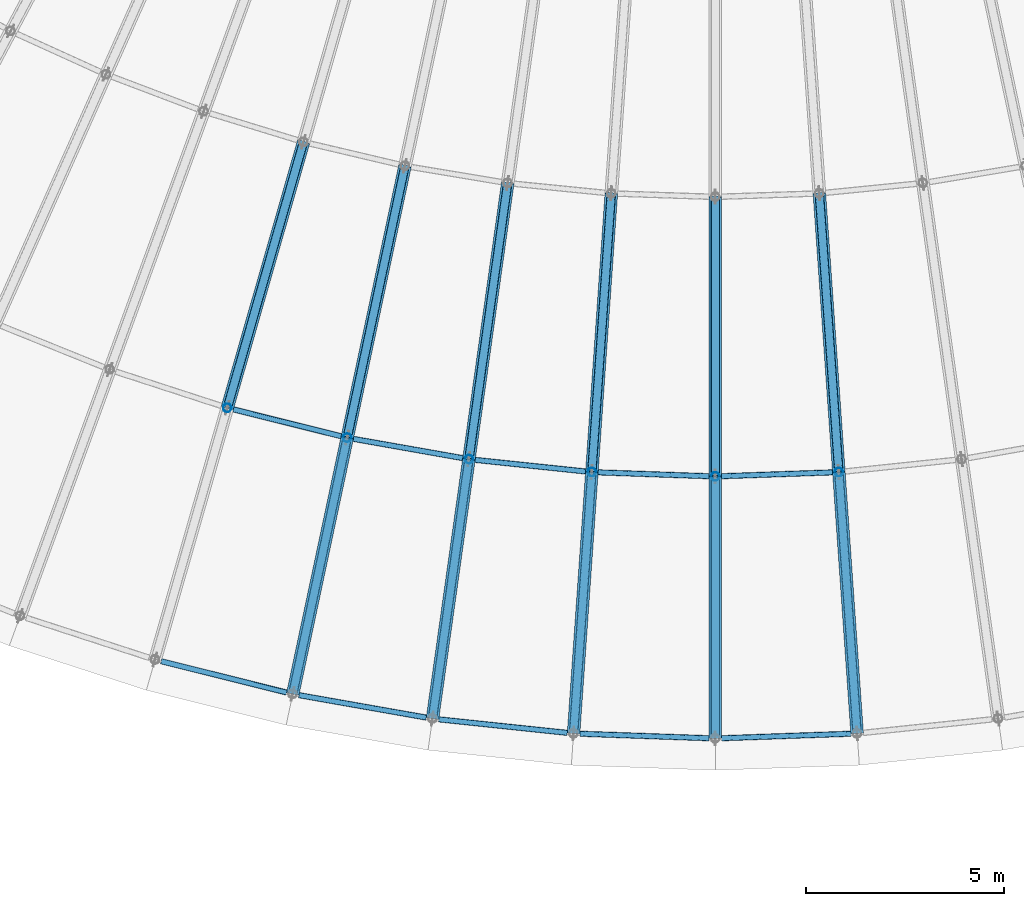
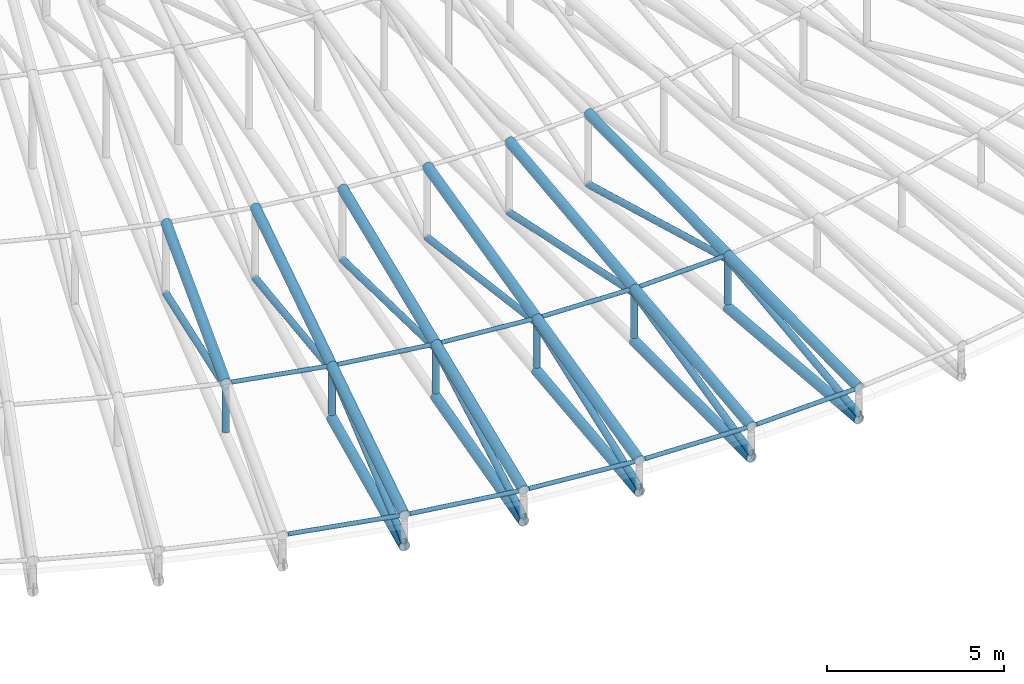
# One storey, part 27 of 163: 43 members.
"""IFC4 building model written with IfcOpenShell, lengths in metres."""

from ifc_helpers import new_model, si_unit, direction, frame, origin, origin_2d, place, context, subcontext, project, spatial, hollow_circle, extrude, material, material_profile, profile_set, type_object, element, save


model = new_model("IFC4")

# Units and contexts
model_context = context("Model", 3, precision=1e-05, world=origin(), true_north=direction((0.0, 1.0)))
body_context = subcontext(model_context, "Body", "Model", "MODEL_VIEW")
ifc_project = project(units=[si_unit("LENGTHUNIT", "METRE"), si_unit("AREAUNIT", "SQUARE_METRE"), si_unit("VOLUMEUNIT", "CUBIC_METRE"), si_unit("PLANEANGLEUNIT", "RADIAN"), si_unit("MASSUNIT", "GRAM", prefix="KILO")], contexts=[model_context])

# Site, building, storey
site_placement = place(None, origin())
site = spatial("IfcSite", under=ifc_project, at=site_placement, CompositionType="ELEMENT")
building_placement = place(site_placement, origin())
building = spatial("IfcBuilding", under=site, at=building_placement, Name="Rain Tree Exposition and Congress Centre", CompositionType="ELEMENT")
storey_placement = place(building_placement, frame((0.0, 0.0, 10.5)))
storey = spatial("IfcBuildingStorey", under=building, at=storey_placement, Name="L02", CompositionType="ELEMENT", Elevation=10.5)

# Members
ifc_material_1 = material(Name="Steel S355J2H", Category="steel")
ifc_material_profile_1 = material_profile(ifc_material_1, hollow_circle(Radius=0.108154296875, WallThickness=0.008056640625, at=origin_2d()), Name="CHS 216x8")
ifc_profile_set_1 = profile_set([ifc_material_profile_1], Name="Steel S355J2H")
member_type_1 = type_object("IfcMemberType", Name="Steel brace member CHS 216x8", PredefinedType="BRACE", material=ifc_profile_set_1)
member_1_placement = place(storey_placement, frame((189.306640625, 24.32763671875, 1.810546875), z_axis=(0.26952123663, 0.939948887417, -0.209414402676), x_axis=(-0.961262988359, 0.275632848571, 0.0)))
element("IfcMember", 1, at=member_1_placement, inside=storey, type_object=member_type_1, Name="TD6-2", PredefinedType="BRACE", context=body_context, shape_type="SweptSolid", body=[
    extrude(hollow_circle(Radius=0.108154296875, WallThickness=0.008056640625, at=origin_2d()), origin(), (0.0, 0.0, 1.0), 7.124267578125),
])
member_2_placement = place(storey_placement, frame((190.954833984375, 17.118896484375, 0.318603515625), z_axis=(0.20280762963, 0.95407261169, 0.220486999586), x_axis=(-0.978144841009, 0.207924673876, 0.0)))
element("IfcMember", 2, at=member_2_placement, inside=storey, type_object=member_type_1, Name="TD7-1", PredefinedType="BRACE", context=body_context, shape_type="SweptSolid", body=[
    extrude(hollow_circle(Radius=0.108154296875, WallThickness=0.008056640625, at=origin_2d()), origin(), (0.0, 0.0, 1.0), 6.7666015625),
])
member_3_placement = place(storey_placement, frame((192.3271484375, 23.57470703125, 1.810546875), z_axis=(0.203339373324, 0.956660413499, -0.208456116487), x_axis=(-0.978148655968, 0.207906726269, 0.0)))
element("IfcMember", 3, at=member_3_placement, inside=storey, type_object=member_type_1, Name="TD7-2", PredefinedType="BRACE", context=body_context, shape_type="SweptSolid", body=[
    extrude(hollow_circle(Radius=0.108154296875, WallThickness=0.008056640625, at=origin_2d()), origin(), (0.0, 0.0, 1.0), 7.1572265625),
])
member_4_placement = place(storey_placement, frame((194.474365234375, 16.498291015625, 0.318603515625), z_axis=(0.135738006216, 0.965897508345, 0.220493077082), x_axis=(-0.990269486717, 0.13916301117, 0.0)))
element("IfcMember", 4, at=member_4_placement, inside=storey, type_object=member_type_1, Name="TD8-1", PredefinedType="BRACE", context=body_context, shape_type="SweptSolid", body=[
    extrude(hollow_circle(Radius=0.108154296875, WallThickness=0.008056640625, at=origin_2d()), origin(), (0.0, 0.0, 1.0), 6.766357421875),
])
member_5_placement = place(storey_placement, frame((195.392822265625, 23.033935546875, 1.810546875), z_axis=(0.136140126916, 0.968655363562, -0.207780298597), x_axis=(-0.990267435614, 0.13917760582, 0.0)))
element("IfcMember", 5, at=member_5_placement, inside=storey, type_object=member_type_1, Name="TD8-2", PredefinedType="BRACE", context=body_context, shape_type="SweptSolid", body=[
    extrude(hollow_circle(Radius=0.108154296875, WallThickness=0.008056640625, at=origin_2d()), origin(), (0.0, 0.0, 1.0), 7.180419921875),
])
member_6_placement = place(storey_placement, frame((198.028564453125, 16.124755859375, 0.318603515625), z_axis=(0.06804982881, 0.973011523602, 0.220494434707), x_axis=(-0.997563320017, 0.069766915918, 0.0)))
element("IfcMember", 6, at=member_6_placement, inside=storey, type_object=member_type_1, Name="TD9-1", PredefinedType="BRACE", context=body_context, shape_type="SweptSolid", body=[
    extrude(hollow_circle(Radius=0.108154296875, WallThickness=0.008056640625, at=origin_2d()), origin(), (0.0, 0.0, 1.0), 6.766357421875),
])
member_7_placement = place(storey_placement, frame((198.489013671875, 22.70849609375, 1.810546875), z_axis=(0.068212374591, 0.975878131212, -0.207385980659), x_axis=(-0.997566018254, 0.069728324408, 0.0)))
element("IfcMember", 7, at=member_7_placement, inside=storey, type_object=member_type_1, Name="TD9-2", PredefinedType="BRACE", context=body_context, shape_type="SweptSolid", body=[
    extrude(hollow_circle(Radius=0.108154296875, WallThickness=0.008056640625, at=origin_2d()), origin(), (0.0, 0.0, 1.0), 7.194091796875),
])
member_8_placement = place(storey_placement, frame((201.60009765625, 16.0, 0.318603515625), z_axis=(0.0, 0.975390213922, 0.220485669796), x_axis=(-1.0, 0.0, 0.0)))
element("IfcMember", 8, at=member_8_placement, inside=storey, type_object=member_type_1, Name="TD10-1", PredefinedType="BRACE", context=body_context, shape_type="SweptSolid", body=[
    extrude(hollow_circle(Radius=0.108154296875, WallThickness=0.008056640625, at=origin_2d()), origin(), (0.0, 0.0, 1.0), 6.7666015625),
])
member_9_placement = place(storey_placement, frame((201.60009765625, 22.60009765625, 1.810546875), z_axis=(0.0, 0.978285208483, -0.207263240502), x_axis=(-1.0, 0.0, 0.0)))
element("IfcMember", 9, at=member_9_placement, inside=storey, type_object=member_type_1, Name="TD10-2", PredefinedType="BRACE", context=body_context, shape_type="SweptSolid", body=[
    extrude(hollow_circle(Radius=0.108154296875, WallThickness=0.008056640625, at=origin_2d()), origin(), (0.0, 0.0, 1.0), 7.1982421875),
])
member_10_placement = place(storey_placement, frame((205.17138671875, 16.124755859375, 0.318603515625), z_axis=(-0.0680139142, 0.973013912056, 0.220494975955), x_axis=(-0.997565893874, -0.069730103829, 0.0)))
element("IfcMember", 10, at=member_10_placement, inside=storey, type_object=member_type_1, Name="TD11-1", PredefinedType="BRACE", context=body_context, shape_type="SweptSolid", body=[
    extrude(hollow_circle(Radius=0.108154296875, WallThickness=0.008056640625, at=origin_2d()), origin(), (0.0, 0.0, 1.0), 6.766357421875),
])
member_11_placement = place(storey_placement, frame((204.711181640625, 22.70849609375, 1.810546875), z_axis=(-0.068246153074, 0.975875871608, -0.207385500466), x_axis=(-0.997563604625, -0.069762846324, 0.0)))
element("IfcMember", 11, at=member_11_placement, inside=storey, type_object=member_type_1, Name="TD11-2", PredefinedType="BRACE", context=body_context, shape_type="SweptSolid", body=[
    extrude(hollow_circle(Radius=0.108154296875, WallThickness=0.008056640625, at=origin_2d()), origin(), (0.0, 0.0, 1.0), 7.194091796875),
])
ifc_material_2 = material(Name="Steel S355J2H", Category="steel")
ifc_material_profile_2 = material_profile(ifc_material_2, hollow_circle(Radius=0.1591796875, WallThickness=0.010009765625, at=origin_2d()), Name="CHS 318x10")
ifc_profile_set_2 = profile_set([ifc_material_profile_2], Name="Steel S355J2H")
member_type_2 = type_object("IfcMemberType", Name="Steel chord member CHS 318x10", PredefinedType="CHORD", material=ifc_profile_set_2)
member_12_placement = place(storey_placement, frame((189.306640625, 24.32763671875, 1.971435546875), z_axis=(0.273905113539, 0.955237553624, 0.111790898215), x_axis=(-0.961262988359, 0.275632848571, 0.0)))
element("IfcMember", 12, at=member_12_placement, inside=storey, type_object=member_type_2, Name="TT6-2", PredefinedType="CHORD", context=body_context, shape_type="SweptSolid", body=[
    extrude(hollow_circle(Radius=0.1591796875, WallThickness=0.010009765625, at=origin_2d()), origin(), (0.0, 0.0, 1.0), 7.01025390625),
])
member_13_placement = place(storey_placement, frame((190.954833984375, 17.118896484375, 0.1591796875), z_axis=(0.207924673876, 0.978144841009, 0.0), x_axis=(-0.978144841009, 0.207924673876, 0.0)))
element("IfcMember", 13, at=member_13_placement, inside=storey, type_object=member_type_2, Name="TC7-1", PredefinedType="CHORD", context=body_context, shape_type="SweptSolid", body=[
    extrude(hollow_circle(Radius=0.1591796875, WallThickness=0.010009765625, at=origin_2d()), origin(), (0.0, 0.0, 1.0), 6.60009765625),
])
member_14_placement = place(storey_placement, frame((190.954833984375, 17.118896484375, 1.22900390625), z_axis=(0.206621519407, 0.972014381369, 0.111783675594), x_axis=(-0.978144841009, 0.207924673876, 0.0)))
element("IfcMember", 14, at=member_14_placement, inside=storey, type_object=member_type_2, Name="TT7-1", PredefinedType="CHORD", context=body_context, shape_type="SweptSolid", body=[
    extrude(hollow_circle(Radius=0.1591796875, WallThickness=0.010009765625, at=origin_2d()), origin(), (0.0, 0.0, 1.0), 6.6416015625),
])
member_15_placement = place(storey_placement, frame((192.3271484375, 23.57470703125, 1.971435546875), z_axis=(0.206603060463, 0.972015237491, 0.111810346092), x_axis=(-0.978148655968, 0.207906726269, 0.0)))
element("IfcMember", 15, at=member_15_placement, inside=storey, type_object=member_type_2, Name="TT7-2", PredefinedType="CHORD", context=body_context, shape_type="SweptSolid", body=[
    extrude(hollow_circle(Radius=0.1591796875, WallThickness=0.010009765625, at=origin_2d()), origin(), (0.0, 0.0, 1.0), 7.0439453125),
])
member_16_placement = place(storey_placement, frame((194.474365234375, 16.498291015625, 0.1591796875), z_axis=(0.13916301117, 0.990269486717, 0.0), x_axis=(-0.990269486717, 0.13916301117, 0.0)))
element("IfcMember", 16, at=member_16_placement, inside=storey, type_object=member_type_2, Name="TC8-1", PredefinedType="CHORD", context=body_context, shape_type="SweptSolid", body=[
    extrude(hollow_circle(Radius=0.1591796875, WallThickness=0.010009765625, at=origin_2d()), origin(), (0.0, 0.0, 1.0), 6.599853515625),
])
member_17_placement = place(storey_placement, frame((194.474365234375, 16.498291015625, 1.22900390625), z_axis=(0.138290765916, 0.984062680378, 0.111786873778), x_axis=(-0.990269486717, 0.13916301117, 0.0)))
element("IfcMember", 17, at=member_17_placement, inside=storey, type_object=member_type_2, Name="TT8-1", PredefinedType="CHORD", context=body_context, shape_type="SweptSolid", body=[
    extrude(hollow_circle(Radius=0.1591796875, WallThickness=0.010009765625, at=origin_2d()), origin(), (0.0, 0.0, 1.0), 6.6416015625),
])
member_18_placement = place(storey_placement, frame((195.392822265625, 23.033935546875, 1.971435546875), z_axis=(0.138304884796, 0.984057907828, 0.111811416604), x_axis=(-0.990267435614, 0.13917760582, 0.0)))
element("IfcMember", 18, at=member_18_placement, inside=storey, type_object=member_type_2, Name="TT8-2", PredefinedType="CHORD", context=body_context, shape_type="SweptSolid", body=[
    extrude(hollow_circle(Radius=0.1591796875, WallThickness=0.010009765625, at=origin_2d()), origin(), (0.0, 0.0, 1.0), 7.068115234375),
])
member_19_placement = place(storey_placement, frame((198.028564453125, 16.124755859375, 0.1591796875), z_axis=(0.069766915918, 0.997563320017, 0.0), x_axis=(-0.997563320017, 0.069766915918, 0.0)))
element("IfcMember", 19, at=member_19_placement, inside=storey, type_object=member_type_2, Name="TC9-1", PredefinedType="CHORD", context=body_context, shape_type="SweptSolid", body=[
    extrude(hollow_circle(Radius=0.1591796875, WallThickness=0.010009765625, at=origin_2d()), origin(), (0.0, 0.0, 1.0), 6.599853515625),
])
member_20_placement = place(storey_placement, frame((198.028564453125, 16.124755859375, 1.22900390625), z_axis=(0.06932962557, 0.991310717253, 0.111787588207), x_axis=(-0.997563320017, 0.069766915918, 0.0)))
element("IfcMember", 20, at=member_20_placement, inside=storey, type_object=member_type_2, Name="TT9-1", PredefinedType="CHORD", context=body_context, shape_type="SweptSolid", body=[
    extrude(hollow_circle(Radius=0.1591796875, WallThickness=0.010009765625, at=origin_2d()), origin(), (0.0, 0.0, 1.0), 6.641357421875),
])
member_21_placement = place(storey_placement, frame((198.489013671875, 22.70849609375, 1.971435546875), z_axis=(0.069291204437, 0.991312375519, 0.111796704472), x_axis=(-0.997566018254, 0.069728324408, 0.0)))
element("IfcMember", 21, at=member_21_placement, inside=storey, type_object=member_type_2, Name="TT9-2", PredefinedType="CHORD", context=body_context, shape_type="SweptSolid", body=[
    extrude(hollow_circle(Radius=0.1591796875, WallThickness=0.010009765625, at=origin_2d()), origin(), (0.0, 0.0, 1.0), 7.08203125),
])
member_22_placement = place(storey_placement, frame((201.60009765625, 16.0, 0.1591796875), z_axis=(0.0, 1.0, 0.0), x_axis=(-1.0, 0.0, 0.0)))
element("IfcMember", 22, at=member_22_placement, inside=storey, type_object=member_type_2, Name="TC10-1", PredefinedType="CHORD", context=body_context, shape_type="SweptSolid", body=[
    extrude(hollow_circle(Radius=0.1591796875, WallThickness=0.010009765625, at=origin_2d()), origin(), (0.0, 0.0, 1.0), 6.60009765625),
])
member_23_placement = place(storey_placement, frame((201.60009765625, 16.0, 1.22900390625), z_axis=(0.0, 0.993732643279, 0.111782975816), x_axis=(-1.0, 0.0, 0.0)))
element("IfcMember", 23, at=member_23_placement, inside=storey, type_object=member_type_2, Name="TT10-1", PredefinedType="CHORD", context=body_context, shape_type="SweptSolid", body=[
    extrude(hollow_circle(Radius=0.1591796875, WallThickness=0.010009765625, at=origin_2d()), origin(), (0.0, 0.0, 1.0), 6.641845703125),
])
member_24_placement = place(storey_placement, frame((201.60009765625, 22.60009765625, 1.971435546875), z_axis=(0.0, 0.993731124787, 0.111796474134), x_axis=(-1.0, 0.0, 0.0)))
element("IfcMember", 24, at=member_24_placement, inside=storey, type_object=member_type_2, Name="TT10-2", PredefinedType="CHORD", context=body_context, shape_type="SweptSolid", body=[
    extrude(hollow_circle(Radius=0.1591796875, WallThickness=0.010009765625, at=origin_2d()), origin(), (0.0, 0.0, 1.0), 7.08642578125),
])
member_25_placement = place(storey_placement, frame((205.17138671875, 16.124755859375, 0.1591796875), z_axis=(-0.069730103829, 0.997565893874, 0.0), x_axis=(-0.997565893874, -0.069730103829, 0.0)))
element("IfcMember", 25, at=member_25_placement, inside=storey, type_object=member_type_2, Name="TC11-1", PredefinedType="CHORD", context=body_context, shape_type="SweptSolid", body=[
    extrude(hollow_circle(Radius=0.1591796875, WallThickness=0.010009765625, at=origin_2d()), origin(), (0.0, 0.0, 1.0), 6.599853515625),
])
member_26_placement = place(storey_placement, frame((205.17138671875, 16.124755859375, 1.22900390625), z_axis=(-0.06929304198, 0.991313243015, 0.11178787303), x_axis=(-0.997565893874, -0.069730103829, 0.0)))
element("IfcMember", 26, at=member_26_placement, inside=storey, type_object=member_type_2, Name="TT11-1", PredefinedType="CHORD", context=body_context, shape_type="SweptSolid", body=[
    extrude(hollow_circle(Radius=0.1591796875, WallThickness=0.010009765625, at=origin_2d()), origin(), (0.0, 0.0, 1.0), 6.641357421875),
])
member_27_placement = place(storey_placement, frame((204.711181640625, 22.70849609375, 1.971435546875), z_axis=(-0.069325512035, 0.991310006998, 0.111796437359), x_axis=(-0.997563604625, -0.069762846324, 0.0)))
element("IfcMember", 27, at=member_27_placement, inside=storey, type_object=member_type_2, Name="TT11-2", PredefinedType="CHORD", context=body_context, shape_type="SweptSolid", body=[
    extrude(hollow_circle(Radius=0.1591796875, WallThickness=0.010009765625, at=origin_2d()), origin(), (0.0, 0.0, 1.0), 7.08203125),
])
ifc_material_3 = material(Name="Steel S355J2H", Category="steel")
ifc_material_profile_3 = material_profile(ifc_material_3, hollow_circle(Radius=0.108154296875, WallThickness=0.008056640625, at=origin_2d()), Name="CHS 216x8")
ifc_profile_set_3 = profile_set([ifc_material_profile_3], Name="Steel S355J2H")
member_type_3 = type_object("IfcMemberType", Name="Steel post member CHS 216x8", PredefinedType="POST", material=ifc_profile_set_3)
for number, where, z_axis, x_axis, name in (
    (28, (189.306640625, 24.32763671875, 0.318603515625), (0.0, 0.0, 1.0), (1.0, 0.0, 0.0), "TP6-1"),
    (29, (192.3271484375, 23.57470703125, 0.318603515625), (0.0, 0.0, 1.0), (1.0, 0.0, 0.0), "TP7-1"),
    (30, (195.392822265625, 23.033935546875, 0.318603515625), (0.0, 0.0, 1.0), (1.0, 0.0, 0.0), "TP8-1"),
    (31, (198.489013671875, 22.70849609375, 0.318603515625), (0.0, 0.0, 1.0), (1.0, 0.0, 0.0), "TP9-1"),
    (32, (201.60009765625, 22.60009765625, 0.318603515625), (0.0, 0.0, 1.0), (1.0, 0.0, 0.0), "TP10-1"),
    (33, (204.711181640625, 22.70849609375, 0.318603515625), (0.0, 0.0, 1.0), (1.0, 0.0, 0.0), "TP11-1"),
):
    element("IfcMember", number, at=place(storey_placement, frame(where, z_axis=z_axis, x_axis=x_axis)), inside=storey, type_object=member_type_3, Name=name, PredefinedType="POST", context=body_context, shape_type="SweptSolid", body=[
        extrude(hollow_circle(Radius=0.108154296875, WallThickness=0.008056640625, at=origin_2d()), origin(), (0.0, 0.0, 1.0), 1.491943359375),
    ])
ifc_material_4 = material(Name="Steel S355J2H", Category="steel")
ifc_material_profile_4 = material_profile(ifc_material_4, hollow_circle(Radius=0.06982421875, WallThickness=0.0048828125, at=origin_2d()), Name="CHS 140x5")
ifc_profile_set_4 = profile_set([ifc_material_profile_4], Name="Steel S355J2H")
member_type_4 = type_object("IfcMemberType", Name="Steel purlin member CHS 140x5", PredefinedType="PURLIN", material=ifc_profile_set_4)
member_28_placement = place(storey_placement, frame((187.64208984375, 17.94482421875, 1.22900390625), z_axis=(0.970283524388, -0.241970829443, 0.0), x_axis=(0.241970829443, 0.970283524388, 0.0)))
element("IfcMember", 34, at=member_28_placement, inside=storey, type_object=member_type_4, Name="PU6-0", PredefinedType="PURLIN", context=body_context, shape_type="SweptSolid", body=[
    extrude(hollow_circle(Radius=0.06982421875, WallThickness=0.0048828125, at=origin_2d()), origin(), (0.0, 0.0, 1.0), 3.2548828125),
])
member_29_placement = place(storey_placement, frame((189.461181640625, 24.289306640625, 1.971435546875), z_axis=(0.970275970019, -0.242001119841, 0.0), x_axis=(0.242001119841, 0.970275970019, 0.0)))
element("IfcMember", 35, at=member_29_placement, inside=storey, type_object=member_type_4, Name="PU6-1", PredefinedType="PURLIN", context=body_context, shape_type="SweptSolid", body=[
    extrude(hollow_circle(Radius=0.06982421875, WallThickness=0.0048828125, at=origin_2d()), origin(), (0.0, 0.0, 1.0), 2.79443359375),
])
member_30_placement = place(storey_placement, frame((191.11181640625, 17.091064453125, 1.22900390625), z_axis=(0.984809975215, -0.173635574457, 0.0), x_axis=(0.173635574457, 0.984809975215, 0.0)))
element("IfcMember", 36, at=member_30_placement, inside=storey, type_object=member_type_4, Name="PU7-0", PredefinedType="PURLIN", context=body_context, shape_type="SweptSolid", body=[
    extrude(hollow_circle(Radius=0.06982421875, WallThickness=0.0048828125, at=origin_2d()), origin(), (0.0, 0.0, 1.0), 3.255126953125),
])
member_31_placement = place(storey_placement, frame((192.48388671875, 23.546875, 1.971435546875), z_axis=(0.984818717502, -0.173585983472, 0.0), x_axis=(0.173585983472, 0.984818717502, 0.0)))
element("IfcMember", 37, at=member_31_placement, inside=storey, type_object=member_type_4, Name="PU7-1", PredefinedType="PURLIN", context=body_context, shape_type="SweptSolid", body=[
    extrude(hollow_circle(Radius=0.06982421875, WallThickness=0.0048828125, at=origin_2d()), origin(), (0.0, 0.0, 1.0), 2.794677734375),
])
member_32_placement = place(storey_placement, frame((194.6328125, 16.481689453125, 1.22900390625), z_axis=(0.994519416938, -0.104552041268, 0.0), x_axis=(0.104552041268, 0.994519416938, 0.0)))
element("IfcMember", 38, at=member_32_placement, inside=storey, type_object=member_type_4, Name="PU8-0", PredefinedType="PURLIN", context=body_context, shape_type="SweptSolid", body=[
    extrude(hollow_circle(Radius=0.06982421875, WallThickness=0.0048828125, at=origin_2d()), origin(), (0.0, 0.0, 1.0), 3.255126953125),
])
member_33_placement = place(storey_placement, frame((195.55126953125, 23.017333984375, 1.971435546875), z_axis=(0.994526495358, -0.104484688022, 0.0), x_axis=(0.104484688022, 0.994526495358, 0.0)))
element("IfcMember", 39, at=member_33_placement, inside=storey, type_object=member_type_4, Name="PU8-1", PredefinedType="PURLIN", context=body_context, shape_type="SweptSolid", body=[
    extrude(hollow_circle(Radius=0.06982421875, WallThickness=0.0048828125, at=origin_2d()), origin(), (0.0, 0.0, 1.0), 2.794677734375),
])
member_34_placement = place(storey_placement, frame((198.187744140625, 16.119140625, 1.22900390625), z_axis=(0.999391661872, -0.034875581446, 0.0), x_axis=(0.034875581446, 0.999391661872, 0.0)))
element("IfcMember", 40, at=member_34_placement, inside=storey, type_object=member_type_4, Name="PU9-0", PredefinedType="PURLIN", context=body_context, shape_type="SweptSolid", body=[
    extrude(hollow_circle(Radius=0.06982421875, WallThickness=0.0048828125, at=origin_2d()), origin(), (0.0, 0.0, 1.0), 3.255126953125),
])
member_35_placement = place(storey_placement, frame((198.648193359375, 22.702880859375, 1.971435546875), z_axis=(0.999395263838, -0.034772210421, 0.0), x_axis=(0.034772210421, 0.999395263838, 0.0)))
element("IfcMember", 41, at=member_35_placement, inside=storey, type_object=member_type_4, Name="PU9-1", PredefinedType="PURLIN", context=body_context, shape_type="SweptSolid", body=[
    extrude(hollow_circle(Radius=0.06982421875, WallThickness=0.0048828125, at=origin_2d()), origin(), (0.0, 0.0, 1.0), 2.79443359375),
])
member_36_placement = place(storey_placement, frame((201.75927734375, 16.005615234375, 1.22900390625), z_axis=(0.999391570637, 0.034878195763, 0.0), x_axis=(-0.034878195763, 0.999391570637, 0.0)))
element("IfcMember", 42, at=member_36_placement, inside=storey, type_object=member_type_4, Name="PU10-0", PredefinedType="PURLIN", context=body_context, shape_type="SweptSolid", body=[
    extrude(hollow_circle(Radius=0.06982421875, WallThickness=0.0048828125, at=origin_2d()), origin(), (0.0, 0.0, 1.0), 3.2548828125),
])
member_37_placement = place(storey_placement, frame((201.75927734375, 22.605712890625, 1.971435546875), z_axis=(0.999395263838, 0.034772210421, 0.0), x_axis=(-0.034772210421, 0.999395263838, 0.0)))
element("IfcMember", 43, at=member_37_placement, inside=storey, type_object=member_type_4, Name="PU10-1", PredefinedType="PURLIN", context=body_context, shape_type="SweptSolid", body=[
    extrude(hollow_circle(Radius=0.06982421875, WallThickness=0.0048828125, at=origin_2d()), origin(), (0.0, 0.0, 1.0), 2.79443359375),
])

save(model, "model.ifc")
